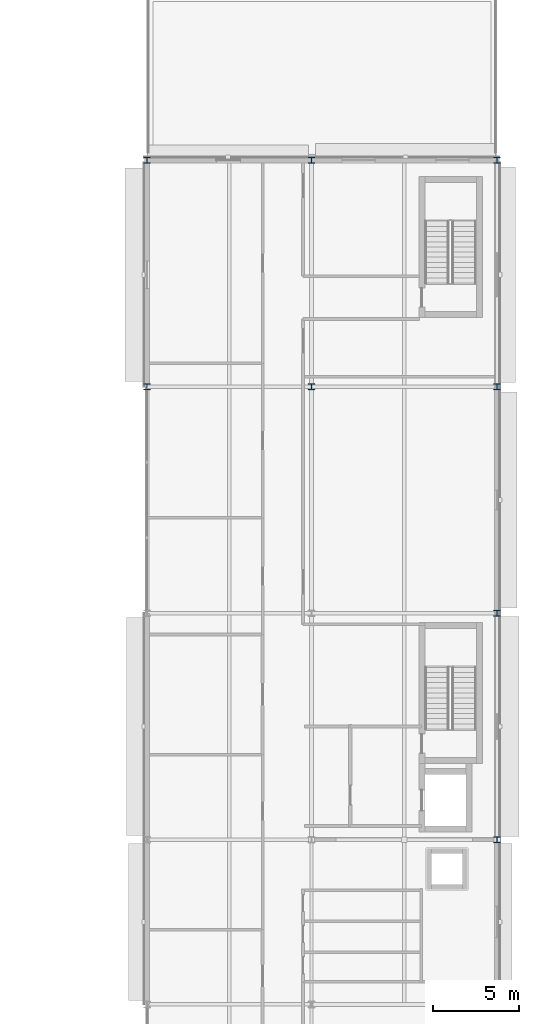
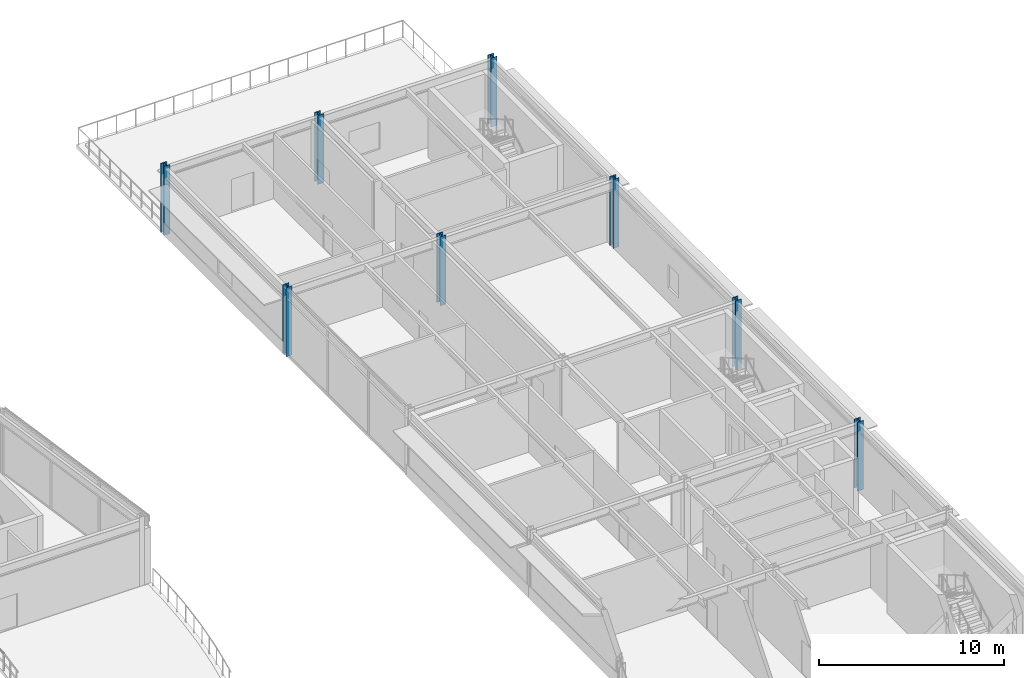
# One storey, part 13 of 89: 8 columns.
"""IFC4 building model written with IfcOpenShell, lengths in metres."""

from ifc_helpers import new_model, si_unit, direction, frame, origin, origin_2d, place, context, subcontext, project, spatial, i_section, extrude, material, material_profile, profile_set, type_object, element, save


model = new_model("IFC4")

# Units and contexts
model_context = context("Model", 3, precision=1e-05, world=origin(), true_north=direction((0.0, 1.0)))
body_context = subcontext(model_context, "Body", "Model", "MODEL_VIEW")
ifc_project = project(units=[si_unit("LENGTHUNIT", "METRE"), si_unit("AREAUNIT", "SQUARE_METRE"), si_unit("VOLUMEUNIT", "CUBIC_METRE"), si_unit("PLANEANGLEUNIT", "RADIAN"), si_unit("MASSUNIT", "GRAM", prefix="KILO")], contexts=[model_context])

# Site, building, storey
site_placement = place(None, origin())
site = spatial("IfcSite", under=ifc_project, at=site_placement, CompositionType="ELEMENT")
building_placement = place(site_placement, origin())
building = spatial("IfcBuilding", under=site, at=building_placement, Name="Almandine Court Research Institute", CompositionType="ELEMENT")
storey_placement = place(building_placement, frame((0.0, 0.0, 18.89990234375)))
storey = spatial("IfcBuildingStorey", under=building, at=storey_placement, Name="L04", CompositionType="ELEMENT", Elevation=18.89990234375)

# Columns
ifc_material = material(Name="Steel ASTM A992 Grade 50", Category="steel")
ifc_material_profile_1 = material_profile(ifc_material, i_section(OverallWidth=0.373046875, OverallDepth=0.367919921875, WebThickness=0.01708984375, FlangeThickness=0.027099609375, at=origin_2d()), Name="W360x179")
ifc_profile_set_1 = profile_set([ifc_material_profile_1], Name="Steel ASTM A992 Grade 50")
column_type_1 = type_object("IfcColumnType", Name="Col-C-W03", PredefinedType="COLUMN", material=ifc_profile_set_1)
for number, where, z_axis, x_axis, name in (
    (1, (153.60009765625, 70.800048828125, 0.0), (0.0, 0.0, 1.0), (1.0, 0.0, 0.0), "L04 V4 Column V4-X2Y7"),
    (2, (153.60009765625, 84.0, 0.0), (0.0, 0.0, 1.0), (1.0, 0.0, 0.0), "L04 V4 Column V4-X2Y8"),
    (3, (163.199951171875, 70.800048828125, 0.0), (0.0, 0.0, 1.0), (1.0, 0.0, 0.0), "L04 V4 Column V4-X3Y7"),
    (4, (163.199951171875, 84.0, 0.0), (0.0, 0.0, 1.0), (1.0, 0.0, 0.0), "L04 V4 Column V4-X3Y8"),
):
    element("IfcColumn", number, at=place(storey_placement, frame(where, z_axis=z_axis, x_axis=x_axis)), inside=storey, type_object=column_type_1, Name=name, PredefinedType="COLUMN", context=body_context, shape_type="SweptSolid", body=[
        extrude(i_section(OverallWidth=0.373046875, OverallDepth=0.367919921875, WebThickness=0.01708984375, FlangeThickness=0.027099609375, at=origin_2d()), origin(), (0.0, 0.0, 1.0), 4.550048828125),
    ])
ifc_material_profile_2 = material_profile(ifc_material, i_section(OverallWidth=0.373046875, OverallDepth=0.367919921875, WebThickness=0.01708984375, FlangeThickness=0.027099609375, at=origin_2d()), Name="W360x179")
ifc_profile_set_2 = profile_set([ifc_material_profile_2], Name="Steel ASTM A992 Grade 50")
column_type_2 = type_object("IfcColumnType", Name="Col-C-W03-E", PredefinedType="COLUMN", material=ifc_profile_set_2)
for number, where, z_axis, x_axis, name in (
    (5, (174.0, 44.39990234375, 0.0), (0.0, 0.0, 1.0), (1.0, 0.0, 0.0), "L04 V4 Column V4-X4Y5"),
    (6, (174.0, 57.60009765625, 0.0), (0.0, 0.0, 1.0), (1.0, 0.0, 0.0), "L04 V4 Column V4-X4Y6"),
    (7, (174.0, 70.800048828125, 0.0), (0.0, 0.0, 1.0), (1.0, 0.0, 0.0), "L04 V4 Column V4-X4Y7"),
    (8, (174.0, 84.0, 0.0), (0.0, 0.0, 1.0), (1.0, 0.0, 0.0), "L04 V4 Column V4-X4Y8"),
):
    element("IfcColumn", number, at=place(storey_placement, frame(where, z_axis=z_axis, x_axis=x_axis)), inside=storey, type_object=column_type_2, Name=name, PredefinedType="COLUMN", context=body_context, shape_type="SweptSolid", body=[
        extrude(i_section(OverallWidth=0.373046875, OverallDepth=0.367919921875, WebThickness=0.01708984375, FlangeThickness=0.027099609375, at=origin_2d()), origin(), (0.0, 0.0, 1.0), 4.550048828125),
    ])

save(model, "model.ifc")
